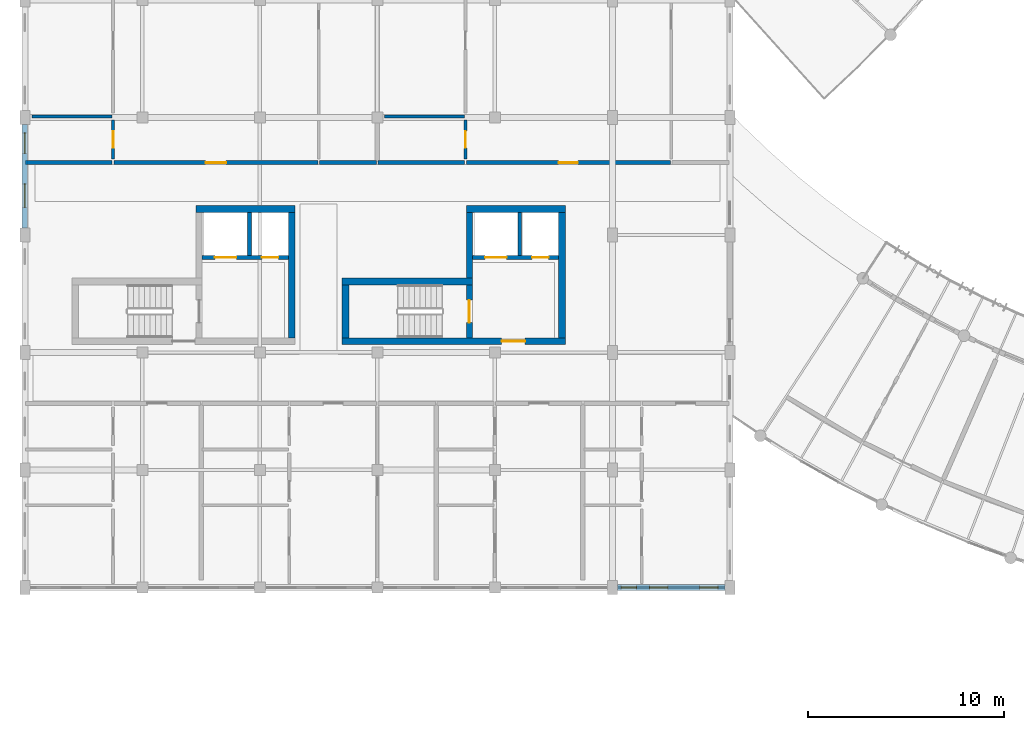
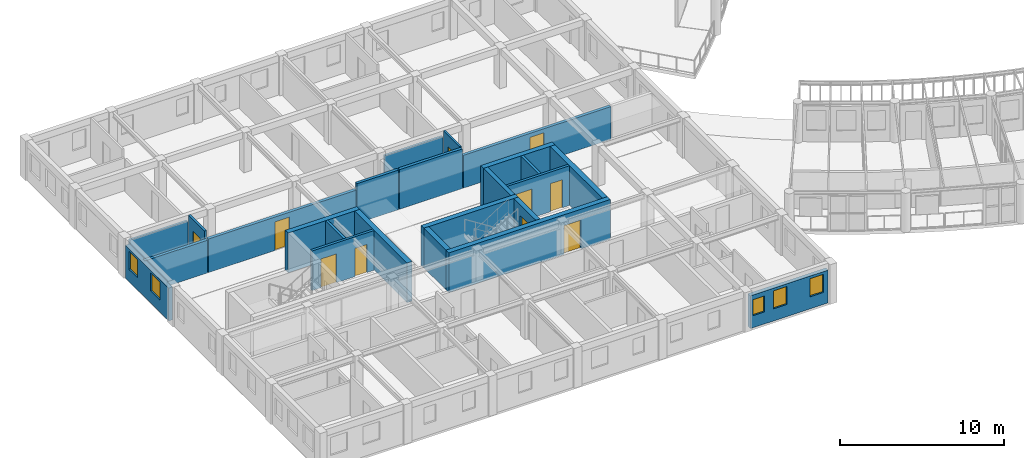
# One storey, part 56 of 101: 24 walls, 10 doors, 5 windows, 15 openings.
"""IFC4 building model written with IfcOpenShell, lengths in metres."""

from ifc_helpers import new_model, si_unit, direction, frame, frame_2d, origin, place, context, subcontext, project, spatial, rectangle, extrude, material, layer, layer_set, type_object, element, fill, save


model = new_model("IFC4")

# Units and contexts
model_context = context("Model", 3, precision=1e-05, world=origin(), true_north=direction((0.0, 1.0)))
body_context = subcontext(model_context, "Body", "Model", "MODEL_VIEW")
ifc_project = project(units=[si_unit("LENGTHUNIT", "METRE"), si_unit("AREAUNIT", "SQUARE_METRE"), si_unit("VOLUMEUNIT", "CUBIC_METRE"), si_unit("PLANEANGLEUNIT", "RADIAN"), si_unit("MASSUNIT", "GRAM", prefix="KILO"), si_unit("POWERUNIT", "WATT"), si_unit("THERMODYNAMICTEMPERATUREUNIT", "KELVIN")], contexts=[model_context])

# Site, building, storey
site_placement = place(None, origin())
site = spatial("IfcSite", under=ifc_project, at=site_placement, CompositionType="ELEMENT")
building_placement = place(site_placement, origin())
building = spatial("IfcBuilding", under=site, at=building_placement, Name="Ruvembo Vaulted Housing Court", CompositionType="ELEMENT")
storey_placement = place(building_placement, frame((0.0, 0.0, 17.300048828125)))
storey = spatial("IfcBuildingStorey", under=building, at=storey_placement, Name="L05", CompositionType="ELEMENT", Elevation=17.300048828125)

# Wall, opening, door
ifc_material_1 = material(Name="Concrete C35/45", Category="concrete")
ifc_layer_1 = layer(ifc_material_1, 0.300048828125, Name="Concrete C35/45")
ifc_layer_set_1 = layer_set([ifc_layer_1], Name="Concrete C35/45")
wall_type_1 = type_object("IfcWallType", Name="WL-CORE-300", PredefinedType="SHEAR", material=ifc_layer_set_1)
wall_1_placement = place(storey_placement, frame((22.699951171875, 18.75, 0.0), z_axis=(0.0, 0.0, 1.0), x_axis=(0.0, 1.0, 0.0)))
wall_1 = element("IfcWall", 1, at=wall_1_placement, inside=storey, type_object=wall_type_1, Name="Core A2 L05 Stair-Lobby Shear Wall", PredefinedType="SHEAR", context=body_context, shape_type="SweptSolid", body=[
    extrude(rectangle(XDim=2.699951171875, YDim=0.300048828125, at=frame_2d((1.35009765625, 0.0))), origin(), (0.0, 0.0, 1.0), 2.96484375),
])
opening_1_placement = place(wall_1_placement, frame((0.77490234375, 0.0, 0.0)))
opening_1 = element("IfcOpeningElement", 2, at=opening_1_placement, cuts=wall_1, Name="Opening SD1", PredefinedType="OPENING", context=body_context, shape_type="SweptSolid", body=[
    extrude(rectangle(XDim=1.14990234375, YDim=2.14990234375, at=frame_2d((0.574951171875, 1.074951171875))), frame((0.0, 0.159912109375, 0.0), z_axis=(0.0, -1.0, 0.0), x_axis=(1.0, 0.0, 0.0)), (0.0, 0.0, 1.0), 0.320068359375),
])
ifc_material_2 = material(Name="Galvanised Painted Steel", Category="steel")
door_type_1 = type_object("IfcDoorType", Name="DR-STAIR-1150x2150", OperationType="NOTDEFINED", PredefinedType="DOOR", material=ifc_material_2)
door_1_placement = place(opening_1_placement, origin())
door_1 = element("IfcDoor", 3, at=door_1_placement, inside=storey, type_object=door_type_1, Name="Stair ST-A2 L05 Fire Door", OperationType="SINGLE_SWING_RIGHT", OverallHeight=2.14990234375, OverallWidth=1.14990234375, PredefinedType="DOOR", context=body_context, shape_type="SweptSolid", body=[
    extrude(rectangle(XDim=1.14990234375, YDim=2.14990234375, at=frame_2d((0.574951171875, 1.074951171875))), frame((0.0, 0.02490234375, 0.0), z_axis=(0.0, -1.0, 0.0), x_axis=(1.0, 0.0, 0.0)), (0.0, 0.0, 1.0), 0.050048828125),
])
fill(opening_1, door_1)

# Walls
wall_2_placement = place(storey_placement, frame((22.699951171875, 21.800048828125, 0.0), z_axis=(0.0, 0.0, 1.0), x_axis=(0.0, 1.0, 0.0)))
element("IfcWall", 4, at=wall_2_placement, inside=storey, type_object=wall_type_1, Name="Core A2 L05 Upper West Shear Wall", PredefinedType="SHEAR", context=body_context, shape_type="SweptSolid", body=[
    extrude(rectangle(XDim=3.349853515625, YDim=0.300048828125, at=frame_2d((1.6748046875, 0.0))), origin(), (0.0, 0.0, 1.0), 2.96484375),
])
ifc_layer_2 = layer(ifc_material_1, 0.35009765625, Name="Concrete C35/45")
ifc_layer_set_2 = layer_set([ifc_layer_2], Name="Concrete C35/45")
wall_type_2 = type_object("IfcWallType", Name="WL-CORE-350", PredefinedType="SHEAR", material=ifc_layer_set_2)
wall_3_placement = place(storey_placement, frame((13.800048828125, 25.324951171875, 0.0), z_axis=(0.0, 0.0, 1.0), x_axis=(-1.0, 0.0, 0.0)))
element("IfcWall", 5, at=wall_3_placement, inside=storey, type_object=wall_type_2, Name="Core A1 L05 North Shear Wall", PredefinedType="SHEAR", context=body_context, shape_type="SweptSolid", body=[
    extrude(rectangle(XDim=5.050048828125, YDim=0.35009765625, at=frame_2d((2.52490234375, 0.0))), origin(), (0.0, 0.0, 1.0), 2.96484375),
])
wall_4_placement = place(storey_placement, frame((13.625, 18.75, 0.0), z_axis=(0.0, 0.0, 1.0), x_axis=(0.0, 1.0, 0.0)))
element("IfcWall", 6, at=wall_4_placement, inside=storey, type_object=wall_type_2, Name="Core A1 L05 East Shear Wall", PredefinedType="SHEAR", context=body_context, shape_type="SweptSolid", body=[
    extrude(rectangle(XDim=6.39990234375, YDim=0.35009765625, at=frame_2d((3.199951171875, 0.0))), origin(), (0.0, 0.0, 1.0), 2.96484375),
])

# Wall, opening, door
wall_5_placement = place(storey_placement, frame((16.199951171875, 18.574951171875, 0.0), z_axis=(0.0, 0.0, 1.0), x_axis=(1.0, 0.0, 0.0)))
wall_5 = element("IfcWall", 7, at=wall_5_placement, inside=storey, type_object=wall_type_2, Name="Core A2 L05 South Shear Wall", PredefinedType="SHEAR", context=body_context, shape_type="SweptSolid", body=[
    extrude(rectangle(XDim=11.400146484375, YDim=0.35009765625, at=frame_2d((5.7001953125, 0.0))), origin(), (0.0, 0.0, 1.0), 2.96484375),
])
opening_2_placement = place(wall_5_placement, frame((8.14990234375, 0.0, 0.0)))
opening_2 = element("IfcOpeningElement", 8, at=opening_2_placement, cuts=wall_5, Name="Opening LD3", PredefinedType="OPENING", context=body_context, shape_type="SweptSolid", body=[
    extrude(rectangle(XDim=1.199951171875, YDim=2.14990234375, at=frame_2d((0.60009765625, 1.074951171875))), frame((0.0, 0.18505859375, 0.0), z_axis=(0.0, -1.0, 0.0), x_axis=(1.0, 0.0, 0.0)), (0.0, 0.0, 1.0), 0.3701171875),
])
door_type_2 = type_object("IfcDoorType", Name="DR-LOB-1200x2150", OperationType="NOTDEFINED", PredefinedType="DOOR", material=ifc_material_2)
door_2_placement = place(opening_2_placement, origin())
door_2 = element("IfcDoor", 9, at=door_2_placement, inside=storey, type_object=door_type_2, Name="Core A2 L05 Lobby Fire Door", OperationType="SINGLE_SWING_LEFT", OverallHeight=2.14990234375, OverallWidth=1.199951171875, PredefinedType="DOOR", context=body_context, shape_type="SweptSolid", body=[
    extrude(rectangle(XDim=1.199951171875, YDim=2.14990234375, at=frame_2d((0.60009765625, 1.074951171875))), frame((0.0, 0.02490234375, 0.0), z_axis=(0.0, -1.0, 0.0), x_axis=(1.0, 0.0, 0.0)), (0.0, 0.0, 1.0), 0.050048828125),
])
fill(opening_2, door_2)

# Walls
wall_6_placement = place(storey_placement, frame((22.85009765625, 21.625, 0.0), z_axis=(0.0, 0.0, 1.0), x_axis=(-1.0, 0.0, 0.0)))
element("IfcWall", 10, at=wall_6_placement, inside=storey, type_object=wall_type_2, Name="Core A2 L05 Stair North Shear Wall", PredefinedType="SHEAR", context=body_context, shape_type="SweptSolid", body=[
    extrude(rectangle(XDim=6.650146484375, YDim=0.35009765625, at=frame_2d((3.3251953125, 0.0))), origin(), (0.0, 0.0, 1.0), 2.96484375),
])
wall_7_placement = place(storey_placement, frame((16.375, 21.449951171875, 0.0), z_axis=(0.0, 0.0, 1.0), x_axis=(0.0, -1.0, 0.0)))
element("IfcWall", 11, at=wall_7_placement, inside=storey, type_object=wall_type_2, Name="Core A2 L05 Stair West Shear Wall", PredefinedType="SHEAR", context=body_context, shape_type="SweptSolid", body=[
    extrude(rectangle(XDim=2.699951171875, YDim=0.35009765625, at=frame_2d((1.35009765625, 0.0))), origin(), (0.0, 0.0, 1.0), 2.96484375),
])
wall_8_placement = place(storey_placement, frame((27.60009765625, 25.324951171875, 0.0), z_axis=(0.0, 0.0, 1.0), x_axis=(-1.0, 0.0, 0.0)))
element("IfcWall", 12, at=wall_8_placement, inside=storey, type_object=wall_type_2, Name="Core A2 L05 North Shear Wall", PredefinedType="SHEAR", context=body_context, shape_type="SweptSolid", body=[
    extrude(rectangle(XDim=5.050048828125, YDim=0.35009765625, at=frame_2d((2.52490234375, 0.0))), origin(), (0.0, 0.0, 1.0), 2.96484375),
])
wall_9_placement = place(storey_placement, frame((27.425048828125, 18.75, 0.0), z_axis=(0.0, 0.0, 1.0), x_axis=(0.0, 1.0, 0.0)))
element("IfcWall", 13, at=wall_9_placement, inside=storey, type_object=wall_type_2, Name="Core A2 L05 East Shear Wall", PredefinedType="SHEAR", context=body_context, shape_type="SweptSolid", body=[
    extrude(rectangle(XDim=6.39990234375, YDim=0.35009765625, at=frame_2d((3.199951171875, 0.0))), origin(), (0.0, 0.0, 1.0), 2.96484375),
])
ifc_material_3 = material(Name="Concrete Blockwork 210", Category="masonry")
ifc_layer_3 = layer(ifc_material_3, 0.2099609375, Name="Concrete Blockwork 210")
ifc_layer_set_3 = layer_set([ifc_layer_3], Name="Concrete Blockwork 210")
wall_type_3 = type_object("IfcWallType", Name="WL-CORR-210", PredefinedType="SOLIDWALL", material=ifc_layer_set_3)
wall_10_placement = place(storey_placement, frame((0.0400390625, 27.699951171875, 0.0), z_axis=(0.0, 0.0, 1.0), x_axis=(1.0, 0.0, 0.0)))
element("IfcWall", 14, at=wall_10_placement, inside=storey, type_object=wall_type_3, Name="L05 Flat A-L05-N1 Corridor Wall WL-INT-L05-01414", PredefinedType="SOLIDWALL", context=body_context, shape_type="SweptSolid", body=[
    extrude(rectangle(XDim=4.419921875, YDim=0.2099609375, at=frame_2d((2.2099609375, 0.0))), origin(), (0.0, 0.0, 1.0), 2.447021484375),
])

# Wall, opening, door
wall_11_placement = place(storey_placement, frame((4.5400390625, 27.699951171875, 0.0), z_axis=(0.0, 0.0, 1.0), x_axis=(1.0, 0.0, 0.0)))
wall_11 = element("IfcWall", 15, at=wall_11_placement, inside=storey, type_object=wall_type_3, Name="L05 Flat A-L05-N1 Entrance WL-INT-L05-01415", PredefinedType="SOLIDWALL", context=body_context, shape_type="SweptSolid", body=[
    extrude(rectangle(XDim=10.419921875, YDim=0.2099609375, at=frame_2d((5.2099609375, 0.0))), origin(), (0.0, 0.0, 1.0), 2.508056640625),
])
opening_3_placement = place(wall_11_placement, frame((4.68505859375, 0.0, 0.0)))
opening_3 = element("IfcOpeningElement", 16, at=opening_3_placement, cuts=wall_11, Name="Opening FD3", PredefinedType="OPENING", context=body_context, shape_type="SweptSolid", body=[
    extrude(rectangle(XDim=1.050048828125, YDim=2.14990234375, at=frame_2d((0.52490234375, 1.074951171875))), frame((0.0, 0.114990234375, 0.0), z_axis=(0.0, -1.0, 0.0), x_axis=(1.0, 0.0, 0.0)), (0.0, 0.0, 1.0), 0.22998046875),
])
ifc_material_4 = material(Name="FSC Hardwood and Engineered Timber", Category="wood")
door_type_3 = type_object("IfcDoorType", Name="DR-FLAT-1050x2150", OperationType="NOTDEFINED", PredefinedType="DOOR", material=ifc_material_4)
door_3_placement = place(opening_3_placement, origin())
door_3 = element("IfcDoor", 17, at=door_3_placement, inside=storey, type_object=door_type_3, Name="L05 Flat A-L05-N1 Entrance Door DR-INT-L05-00797", OperationType="SINGLE_SWING_LEFT", OverallHeight=2.14990234375, OverallWidth=1.050048828125, PredefinedType="DOOR", context=body_context, shape_type="SweptSolid", body=[
    extrude(rectangle(XDim=1.050048828125, YDim=2.14990234375, at=frame_2d((0.52490234375, 1.074951171875))), frame((0.0, 0.02490234375, 0.0), z_axis=(0.0, -1.0, 0.0), x_axis=(1.0, 0.0, 0.0)), (0.0, 0.0, 1.0), 0.050048828125),
])
fill(opening_3, door_3)

# Walls
wall_12_placement = place(storey_placement, frame((15.0400390625, 27.699951171875, 0.0), z_axis=(0.0, 0.0, 1.0), x_axis=(1.0, 0.0, 0.0)))
element("IfcWall", 18, at=wall_12_placement, inside=storey, type_object=wall_type_3, Name="L05 Flat A-L05-N1 Corridor Wall 2 WL-INT-L05-01421", PredefinedType="SOLIDWALL", context=body_context, shape_type="SweptSolid", body=[
    extrude(rectangle(XDim=2.919921875, YDim=0.2099609375, at=frame_2d((1.4599609375, 0.0))), origin(), (0.0, 0.0, 1.0), 2.96484375),
])
wall_13_placement = place(storey_placement, frame((18.0400390625, 27.699951171875, 0.0), z_axis=(0.0, 0.0, 1.0), x_axis=(1.0, 0.0, 0.0)))
element("IfcWall", 19, at=wall_13_placement, inside=storey, type_object=wall_type_3, Name="L05 Flat A-L05-N2 Corridor Wall WL-INT-L05-01423", PredefinedType="SOLIDWALL", context=body_context, shape_type="SweptSolid", body=[
    extrude(rectangle(XDim=4.419921875, YDim=0.2099609375, at=frame_2d((2.2099609375, 0.0))), origin(), (0.0, 0.0, 1.0), 2.96484375),
])

# Wall, opening, door
wall_14_placement = place(storey_placement, frame((22.5400390625, 27.699951171875, 0.0), z_axis=(0.0, 0.0, 1.0), x_axis=(1.0, 0.0, 0.0)))
wall_14 = element("IfcWall", 20, at=wall_14_placement, inside=storey, type_object=wall_type_3, Name="L05 Flat A-L05-N2 Entrance WL-INT-L05-01424", PredefinedType="SOLIDWALL", context=body_context, shape_type="SweptSolid", body=[
    extrude(rectangle(XDim=10.419921875, YDim=0.2099609375, at=frame_2d((5.2099609375, 0.0))), origin(), (0.0, 0.0, 1.0), 2.447021484375),
])
opening_4_placement = place(wall_14_placement, frame((4.719970703125, 0.0, 0.0)))
opening_4 = element("IfcOpeningElement", 21, at=opening_4_placement, cuts=wall_14, Name="Opening FD2", PredefinedType="OPENING", context=body_context, shape_type="SweptSolid", body=[
    extrude(rectangle(XDim=0.97998046875, YDim=2.14990234375, at=frame_2d((0.489990234375, 1.074951171875))), frame((0.0, 0.114990234375, 0.0), z_axis=(0.0, -1.0, 0.0), x_axis=(1.0, 0.0, 0.0)), (0.0, 0.0, 1.0), 0.22998046875),
])
door_type_4 = type_object("IfcDoorType", Name="DR-FLAT-0980x2150", OperationType="NOTDEFINED", PredefinedType="DOOR", material=ifc_material_4)
door_4_placement = place(opening_4_placement, origin())
door_4 = element("IfcDoor", 22, at=door_4_placement, inside=storey, type_object=door_type_4, Name="L05 Flat A-L05-N2 Entrance Door DR-INT-L05-00802", OperationType="SINGLE_SWING_RIGHT", OverallHeight=2.14990234375, OverallWidth=0.97998046875, PredefinedType="DOOR", context=body_context, shape_type="SweptSolid", body=[
    extrude(rectangle(XDim=0.97998046875, YDim=2.14990234375, at=frame_2d((0.489990234375, 1.074951171875))), frame((0.0, 0.02490234375, 0.0), z_axis=(0.0, -1.0, 0.0), x_axis=(1.0, 0.0, 0.0)), (0.0, 0.0, 1.0), 0.050048828125),
])
fill(opening_4, door_4)

# Wall, openings, windows
ifc_material_5 = material(Name="Rendered Masonry 285", Category="masonry")
ifc_layer_4 = layer(ifc_material_5, 0.284912109375, Name="Rendered Masonry 285")
ifc_layer_set_4 = layer_set([ifc_layer_4], Name="Rendered Masonry 285")
wall_type_4 = type_object("IfcWallType", Name="WL-EXT-285", PredefinedType="STANDARD", material=ifc_layer_set_4)
wall_15_placement = place(storey_placement, frame((30.25, 6.0, 0.0), z_axis=(0.0, 0.0, 1.0), x_axis=(1.0, 0.0, 0.0)))
wall_15 = element("IfcWall", 23, at=wall_15_placement, inside=storey, type_object=wall_type_4, Name="Block A L05 Exterior Wall STREET #6", PredefinedType="STANDARD", context=body_context, shape_type="SweptSolid", body=[
    extrude(rectangle(XDim=5.5, YDim=0.284912109375, at=frame_2d((2.75, 0.0))), origin(), (0.0, 0.0, 1.0), 2.447021484375),
])
opening_5_placement = place(wall_15_placement, frame((1.639892578125, 0.0, 0.89990234375)))
opening_5 = element("IfcOpeningElement", 24, at=opening_5_placement, cuts=wall_15, Name="Opening W07", PredefinedType="OPENING", context=body_context, shape_type="SweptSolid", body=[
    extrude(rectangle(XDim=0.949951171875, YDim=1.35009765625, at=frame_2d((0.47509765625, 0.675048828125))), frame((0.0, 0.15234375, 0.0), z_axis=(0.0, -1.0, 0.0), x_axis=(1.0, 0.0, 0.0)), (0.0, 0.0, 1.0), 0.304931640625),
])
opening_6_placement = place(wall_15_placement, frame((4.199951171875, 0.0, 0.89990234375)))
opening_6 = element("IfcOpeningElement", 25, at=opening_6_placement, cuts=wall_15, Name="Opening W07", PredefinedType="OPENING", context=body_context, shape_type="SweptSolid", body=[
    extrude(rectangle(XDim=0.949951171875, YDim=1.35009765625, at=frame_2d((0.47509765625, 0.675048828125))), frame((0.0, 0.15234375, 0.0), z_axis=(0.0, -1.0, 0.0), x_axis=(1.0, 0.0, 0.0)), (0.0, 0.0, 1.0), 0.304931640625),
])
opening_7_placement = place(wall_15_placement, frame((0.193603515625, 0.0, 0.89990234375)))
opening_7 = element("IfcOpeningElement", 26, at=opening_7_placement, cuts=wall_15, Name="Opening W02", PredefinedType="OPENING", context=body_context, shape_type="SweptSolid", body=[
    extrude(rectangle(XDim=0.800048828125, YDim=1.199951171875, at=frame_2d((0.39990234375, 0.60009765625))), frame((0.0, 0.15234375, 0.0), z_axis=(0.0, -1.0, 0.0), x_axis=(1.0, 0.0, 0.0)), (0.0, 0.0, 1.0), 0.304931640625),
])
ifc_material_6 = material(Name="Double Solar-Control Glazing in Aluminium Frame", Category="aluminium")
window_type_1 = type_object("IfcWindowType", Name="WIN-0800x1200", PartitioningType="SINGLE_PANEL", PredefinedType="WINDOW", material=ifc_material_6)
window_1_placement = place(opening_7_placement, origin())
window_1 = element("IfcWindow", 27, at=window_1_placement, inside=storey, type_object=window_type_1, Name="Block A L05 Window #2078", OverallHeight=1.199951171875, OverallWidth=0.800048828125, PartitioningType="SINGLE_PANEL", PredefinedType="WINDOW", context=body_context, shape_type="SweptSolid", body=[
    extrude(rectangle(XDim=0.800048828125, YDim=1.199951171875, at=frame_2d((0.39990234375, 0.60009765625))), frame((0.0, 0.030029296875, 0.0), z_axis=(0.0, -1.0, 0.0), x_axis=(1.0, 0.0, 0.0)), (0.0, 0.0, 1.0), 0.06005859375),
])
fill(opening_7, window_1)
window_type_2 = type_object("IfcWindowType", Name="WIN-0950x1350", PartitioningType="SINGLE_PANEL", PredefinedType="WINDOW", material=ifc_material_6)
window_2_placement = place(opening_5_placement, origin())
window_2 = element("IfcWindow", 28, at=window_2_placement, inside=storey, type_object=window_type_2, Name="Block A L05 Window #219", OverallHeight=1.35009765625, OverallWidth=0.949951171875, PartitioningType="SINGLE_PANEL", PredefinedType="WINDOW", context=body_context, shape_type="SweptSolid", body=[
    extrude(rectangle(XDim=0.949951171875, YDim=1.35009765625, at=frame_2d((0.47509765625, 0.675048828125))), frame((0.0, 0.030029296875, 0.0), z_axis=(0.0, -1.0, 0.0), x_axis=(1.0, 0.0, 0.0)), (0.0, 0.0, 1.0), 0.06005859375),
])
fill(opening_5, window_2)
window_3_placement = place(opening_6_placement, origin())
window_3 = element("IfcWindow", 29, at=window_3_placement, inside=storey, type_object=window_type_2, Name="Block A L05 Window #220", OverallHeight=1.35009765625, OverallWidth=0.949951171875, PartitioningType="SINGLE_PANEL", PredefinedType="WINDOW", context=body_context, shape_type="SweptSolid", body=[
    extrude(rectangle(XDim=0.949951171875, YDim=1.35009765625, at=frame_2d((0.47509765625, 0.675048828125))), frame((0.0, 0.030029296875, 0.0), z_axis=(0.0, -1.0, 0.0), x_axis=(1.0, 0.0, 0.0)), (0.0, 0.0, 1.0), 0.06005859375),
])
fill(opening_6, window_3)

wall_16_placement = place(storey_placement, frame((0.0, 29.64990234375, 0.0), z_axis=(0.0, 0.0, 1.0), x_axis=(0.0, -1.0, 0.0)))
wall_16 = element("IfcWall", 30, at=wall_16_placement, inside=storey, type_object=wall_type_4, Name="Block A L05 Exterior Wall WEST #3", PredefinedType="STANDARD", context=body_context, shape_type="SweptSolid", body=[
    extrude(rectangle(XDim=5.2998046875, YDim=0.284912109375, at=frame_2d((2.64990234375, 0.0))), origin(), (0.0, 0.0, 1.0), 2.447021484375),
])
opening_8_placement = place(wall_16_placement, frame((0.429931640625, 0.0, 0.89990234375)))
opening_8 = element("IfcOpeningElement", 31, at=opening_8_placement, cuts=wall_16, Name="Opening W09", PredefinedType="OPENING", context=body_context, shape_type="SweptSolid", body=[
    extrude(rectangle(XDim=1.050048828125, YDim=1.35009765625, at=frame_2d((0.52490234375, 0.675048828125))), frame((0.0, 0.15234375, 0.0), z_axis=(0.0, -1.0, 0.0), x_axis=(1.0, 0.0, 0.0)), (0.0, 0.0, 1.0), 0.304931640625),
])
opening_9_placement = place(wall_16_placement, frame((3.044921875, 0.0, 0.89990234375)))
opening_9 = element("IfcOpeningElement", 32, at=opening_9_placement, cuts=wall_16, Name="Opening W12", PredefinedType="OPENING", context=body_context, shape_type="SweptSolid", body=[
    extrude(rectangle(XDim=1.199951171875, YDim=1.35009765625, at=frame_2d((0.60009765625, 0.675048828125))), frame((0.0, 0.15234375, 0.0), z_axis=(0.0, -1.0, 0.0), x_axis=(1.0, 0.0, 0.0)), (0.0, 0.0, 1.0), 0.304931640625),
])
window_type_3 = type_object("IfcWindowType", Name="WIN-1050x1350", PartitioningType="SINGLE_PANEL", PredefinedType="WINDOW", material=ifc_material_6)
window_4_placement = place(opening_8_placement, origin())
window_4 = element("IfcWindow", 33, at=window_4_placement, inside=storey, type_object=window_type_3, Name="Block A L05 Window #244", OverallHeight=1.35009765625, OverallWidth=1.050048828125, PartitioningType="SINGLE_PANEL", PredefinedType="WINDOW", context=body_context, shape_type="SweptSolid", body=[
    extrude(rectangle(XDim=1.050048828125, YDim=1.35009765625, at=frame_2d((0.52490234375, 0.675048828125))), frame((0.0, 0.030029296875, 0.0), z_axis=(0.0, -1.0, 0.0), x_axis=(1.0, 0.0, 0.0)), (0.0, 0.0, 1.0), 0.06005859375),
])
fill(opening_8, window_4)
window_type_4 = type_object("IfcWindowType", Name="WIN-1200x1350", PartitioningType="SINGLE_PANEL", PredefinedType="WINDOW", material=ifc_material_6)
window_5_placement = place(opening_9_placement, origin())
window_5 = element("IfcWindow", 34, at=window_5_placement, inside=storey, type_object=window_type_4, Name="Block A L05 Window #245", OverallHeight=1.35009765625, OverallWidth=1.199951171875, PartitioningType="SINGLE_PANEL", PredefinedType="WINDOW", context=body_context, shape_type="SweptSolid", body=[
    extrude(rectangle(XDim=1.199951171875, YDim=1.35009765625, at=frame_2d((0.60009765625, 0.675048828125))), frame((0.0, 0.030029296875, 0.0), z_axis=(0.0, -1.0, 0.0), x_axis=(1.0, 0.0, 0.0)), (0.0, 0.0, 1.0), 0.06005859375),
])
fill(opening_9, window_5)

# Wall, opening, door
ifc_material_7 = material(Name="Moisture-Resistant Wet Partition 150", Category="gypsum")
ifc_layer_5 = layer(ifc_material_7, 0.14990234375, Name="Moisture-Resistant Wet Partition 150")
ifc_layer_set_5 = layer_set([ifc_layer_5], Name="Moisture-Resistant Wet Partition 150")
wall_type_5 = type_object("IfcWallType", Name="WL-PART-150", PredefinedType="PARTITIONING", material=ifc_layer_set_5)
wall_17_placement = place(storey_placement, frame((4.5, 27.889892578125, 0.0), z_axis=(0.0, 0.0, 1.0), x_axis=(0.0, 1.0, 0.0)))
wall_17 = element("IfcWall", 35, at=wall_17_placement, inside=storey, type_object=wall_type_5, Name="L05 Flat A-L05-N1 Bathroom WL-INT-L05-01418", PredefinedType="PARTITIONING", context=body_context, shape_type="SweptSolid", body=[
    extrude(rectangle(XDim=1.97021484375, YDim=0.14990234375, at=frame_2d((0.985107421875, 0.0))), origin(), (0.0, 0.0, 1.0), 2.96484375),
])
opening_10_placement = place(wall_17_placement, frame((0.56005859375, 0.0, 0.0)))
opening_10 = element("IfcOpeningElement", 36, at=opening_10_placement, cuts=wall_17, Name="Opening ID2", PredefinedType="OPENING", context=body_context, shape_type="SweptSolid", body=[
    extrude(rectangle(XDim=0.85009765625, YDim=2.10009765625, at=frame_2d((0.425048828125, 1.050048828125))), frame((0.0, 0.0849609375, 0.0), z_axis=(0.0, -1.0, 0.0), x_axis=(1.0, 0.0, 0.0)), (0.0, 0.0, 1.0), 0.169921875),
])
door_type_5 = type_object("IfcDoorType", Name="DR-WET-0850x2100", OperationType="NOTDEFINED", PredefinedType="DOOR", material=ifc_material_4)
door_5_placement = place(opening_10_placement, origin())
door_5 = element("IfcDoor", 37, at=door_5_placement, inside=storey, type_object=door_type_5, Name="L05 Flat A-L05-N1 Bathroom Door DR-INT-L05-00800", OperationType="SINGLE_SWING_RIGHT", OverallHeight=2.10009765625, OverallWidth=0.85009765625, PredefinedType="DOOR", context=body_context, shape_type="SweptSolid", body=[
    extrude(rectangle(XDim=0.85009765625, YDim=2.10009765625, at=frame_2d((0.425048828125, 1.050048828125))), frame((0.0, 0.02490234375, 0.0), z_axis=(0.0, -1.0, 0.0), x_axis=(1.0, 0.0, 0.0)), (0.0, 0.0, 1.0), 0.050048828125),
])
fill(opening_10, door_5)

# Wall
wall_18_placement = place(storey_placement, frame((0.360107421875, 30.050048828125, 0.0), z_axis=(0.0, 0.0, 1.0), x_axis=(1.0, 0.0, 0.0)))
element("IfcWall", 38, at=wall_18_placement, inside=storey, type_object=wall_type_5, Name="L05 Flat A-L05-N1 Wet Wall 2 WL-INT-L05-01420", PredefinedType="PARTITIONING", context=body_context, shape_type="SweptSolid", body=[
    extrude(rectangle(XDim=4.099853515625, YDim=0.14990234375, at=frame_2d((2.0498046875, 0.0))), origin(), (0.0, 0.0, 1.0), 2.447021484375),
])

# Wall, opening, door
wall_19_placement = place(storey_placement, frame((22.5, 27.889892578125, 0.0), z_axis=(0.0, 0.0, 1.0), x_axis=(0.0, 1.0, 0.0)))
wall_19 = element("IfcWall", 39, at=wall_19_placement, inside=storey, type_object=wall_type_5, Name="L05 Flat A-L05-N2 Bathroom WL-INT-L05-01427", PredefinedType="PARTITIONING", context=body_context, shape_type="SweptSolid", body=[
    extrude(rectangle(XDim=1.97021484375, YDim=0.14990234375, at=frame_2d((0.985107421875, 0.0))), origin(), (0.0, 0.0, 1.0), 2.96484375),
])
opening_11_placement = place(wall_19_placement, frame((0.56005859375, 0.0, 0.0)))
opening_11 = element("IfcOpeningElement", 40, at=opening_11_placement, cuts=wall_19, Name="Opening ID2", PredefinedType="OPENING", context=body_context, shape_type="SweptSolid", body=[
    extrude(rectangle(XDim=0.85009765625, YDim=2.10009765625, at=frame_2d((0.425048828125, 1.050048828125))), frame((0.0, 0.0849609375, 0.0), z_axis=(0.0, -1.0, 0.0), x_axis=(1.0, 0.0, 0.0)), (0.0, 0.0, 1.0), 0.169921875),
])
door_6_placement = place(opening_11_placement, origin())
door_6 = element("IfcDoor", 41, at=door_6_placement, inside=storey, type_object=door_type_5, Name="L05 Flat A-L05-N2 Bathroom Door DR-INT-L05-00805", OperationType="SINGLE_SWING_LEFT", OverallHeight=2.10009765625, OverallWidth=0.85009765625, PredefinedType="DOOR", context=body_context, shape_type="SweptSolid", body=[
    extrude(rectangle(XDim=0.85009765625, YDim=2.10009765625, at=frame_2d((0.425048828125, 1.050048828125))), frame((0.0, 0.02490234375, 0.0), z_axis=(0.0, -1.0, 0.0), x_axis=(1.0, 0.0, 0.0)), (0.0, 0.0, 1.0), 0.050048828125),
])
fill(opening_11, door_6)

# Wall
wall_20_placement = place(storey_placement, frame((18.360107421875, 30.050048828125, 0.0), z_axis=(0.0, 0.0, 1.0), x_axis=(1.0, 0.0, 0.0)))
element("IfcWall", 42, at=wall_20_placement, inside=storey, type_object=wall_type_5, Name="L05 Flat A-L05-N2 Wet Wall 2 WL-INT-L05-01429", PredefinedType="PARTITIONING", context=body_context, shape_type="SweptSolid", body=[
    extrude(rectangle(XDim=4.099853515625, YDim=0.14990234375, at=frame_2d((2.0498046875, 0.0))), origin(), (0.0, 0.0, 1.0), 2.447021484375),
])

# Wall, openings, doors
ifc_material_8 = material(Name="Fire-Rated Masonry Shaft 180", Category="masonry")
ifc_layer_6 = layer(ifc_material_8, 0.179931640625, Name="Fire-Rated Masonry Shaft 180")
ifc_layer_set_6 = layer_set([ifc_layer_6], Name="Fire-Rated Masonry Shaft 180")
wall_type_6 = type_object("IfcWallType", Name="WL-SHAFT-180", PredefinedType="SOLIDWALL", material=ifc_layer_set_6)
wall_21_placement = place(storey_placement, frame((9.050048828125, 22.85009765625, 0.0), z_axis=(0.0, 0.0, 1.0), x_axis=(1.0, 0.0, 0.0)))
wall_21 = element("IfcWall", 43, at=wall_21_placement, inside=storey, type_object=wall_type_6, Name="Core A1 L05 Lift and Riser Front Wall", PredefinedType="SOLIDWALL", context=body_context, shape_type="SweptSolid", body=[
    extrude(rectangle(XDim=4.39990234375, YDim=0.179931640625, at=frame_2d((2.199951171875, 0.0))), origin(), (0.0, 0.0, 1.0), 2.96484375),
])
opening_12_placement = place(wall_21_placement, frame((0.64990234375, 0.0, 0.0)))
opening_12 = element("IfcOpeningElement", 44, at=opening_12_placement, cuts=wall_21, Name="Opening LD-FL-A1-L05", PredefinedType="OPENING", context=body_context, shape_type="SweptSolid", body=[
    extrude(rectangle(XDim=1.10009765625, YDim=2.14990234375, at=frame_2d((0.550048828125, 1.074951171875))), frame((0.0, 0.099853515625, 0.0), z_axis=(0.0, -1.0, 0.0), x_axis=(1.0, 0.0, 0.0)), (0.0, 0.0, 1.0), 0.199951171875),
])
opening_13_placement = place(wall_21_placement, frame((3.050048828125, 0.0, 0.0)))
opening_13 = element("IfcOpeningElement", 45, at=opening_13_placement, cuts=wall_21, Name="Opening RD1", PredefinedType="OPENING", context=body_context, shape_type="SweptSolid", body=[
    extrude(rectangle(XDim=0.85009765625, YDim=2.10009765625, at=frame_2d((0.425048828125, 1.050048828125))), frame((0.0, 0.099853515625, 0.0), z_axis=(0.0, -1.0, 0.0), x_axis=(1.0, 0.0, 0.0)), (0.0, 0.0, 1.0), 0.199951171875),
])
ifc_material_9 = material(Name="Brushed Stainless Steel 304", Category="steel")
door_type_6 = type_object("IfcDoorType", Name="DR-LIFT-1100x2150", OperationType="NOTDEFINED", PredefinedType="DOOR", material=ifc_material_9)
door_7_placement = place(opening_12_placement, origin())
door_7 = element("IfcDoor", 46, at=door_7_placement, inside=storey, type_object=door_type_6, Name="Lift FL-A1 L05 Sliding Landing Door", OperationType="SLIDING_TO_LEFT", OverallHeight=2.14990234375, OverallWidth=1.10009765625, PredefinedType="DOOR", context=body_context, shape_type="SweptSolid", body=[
    extrude(rectangle(XDim=1.10009765625, YDim=2.14990234375, at=frame_2d((0.550048828125, 1.074951171875))), frame((0.0, 0.02490234375, 0.0), z_axis=(0.0, -1.0, 0.0), x_axis=(1.0, 0.0, 0.0)), (0.0, 0.0, 1.0), 0.050048828125),
])
fill(opening_12, door_7)
door_type_7 = type_object("IfcDoorType", Name="DR-RISER-0850x2100", OperationType="NOTDEFINED", PredefinedType="DOOR", material=ifc_material_2)
door_8_placement = place(opening_13_placement, frame((0.85009765625, 0.0, 0.0), z_axis=(0.0, 0.0, 1.0), x_axis=(-1.0, 0.0, 0.0)))
door_8 = element("IfcDoor", 47, at=door_8_placement, inside=storey, type_object=door_type_7, Name="Core A1 L05 Service Riser Door", OperationType="SINGLE_SWING_LEFT", OverallHeight=2.10009765625, OverallWidth=0.85009765625, PredefinedType="DOOR", context=body_context, shape_type="SweptSolid", body=[
    extrude(rectangle(XDim=0.85009765625, YDim=2.10009765625, at=frame_2d((0.425048828125, 1.050048828125))), frame((0.0, 0.02490234375, 0.0), z_axis=(0.0, -1.0, 0.0), x_axis=(1.0, 0.0, 0.0)), (0.0, 0.0, 1.0), 0.050048828125),
])
fill(opening_13, door_8)

# Wall
wall_22_placement = place(storey_placement, frame((11.469970703125, 22.93994140625, 0.0), z_axis=(0.0, 0.0, 1.0), x_axis=(0.0, 1.0, 0.0)))
element("IfcWall", 48, at=wall_22_placement, inside=storey, type_object=wall_type_6, Name="Core A1 L05 Shaft-Riser Divider Wall", PredefinedType="SOLIDWALL", context=body_context, shape_type="SweptSolid", body=[
    extrude(rectangle(XDim=2.2099609375, YDim=0.179931640625, at=frame_2d((1.10498046875, 0.0))), origin(), (0.0, 0.0, 1.0), 2.96484375),
])

# Wall, openings, doors
wall_23_placement = place(storey_placement, frame((22.85009765625, 22.85009765625, 0.0), z_axis=(0.0, 0.0, 1.0), x_axis=(1.0, 0.0, 0.0)))
wall_23 = element("IfcWall", 49, at=wall_23_placement, inside=storey, type_object=wall_type_6, Name="Core A2 L05 Lift and Riser Front Wall", PredefinedType="SOLIDWALL", context=body_context, shape_type="SweptSolid", body=[
    extrude(rectangle(XDim=4.39990234375, YDim=0.179931640625, at=frame_2d((2.199951171875, 0.0))), origin(), (0.0, 0.0, 1.0), 2.96484375),
])
opening_14_placement = place(wall_23_placement, frame((0.64990234375, 0.0, 0.0)))
opening_14 = element("IfcOpeningElement", 50, at=opening_14_placement, cuts=wall_23, Name="Opening LD-FL-A2-L05", PredefinedType="OPENING", context=body_context, shape_type="SweptSolid", body=[
    extrude(rectangle(XDim=1.10009765625, YDim=2.14990234375, at=frame_2d((0.550048828125, 1.074951171875))), frame((0.0, 0.099853515625, 0.0), z_axis=(0.0, -1.0, 0.0), x_axis=(1.0, 0.0, 0.0)), (0.0, 0.0, 1.0), 0.199951171875),
])
opening_15_placement = place(wall_23_placement, frame((3.050048828125, 0.0, 0.0)))
opening_15 = element("IfcOpeningElement", 51, at=opening_15_placement, cuts=wall_23, Name="Opening RD1", PredefinedType="OPENING", context=body_context, shape_type="SweptSolid", body=[
    extrude(rectangle(XDim=0.85009765625, YDim=2.10009765625, at=frame_2d((0.425048828125, 1.050048828125))), frame((0.0, 0.099853515625, 0.0), z_axis=(0.0, -1.0, 0.0), x_axis=(1.0, 0.0, 0.0)), (0.0, 0.0, 1.0), 0.199951171875),
])
door_9_placement = place(opening_14_placement, origin())
door_9 = element("IfcDoor", 52, at=door_9_placement, inside=storey, type_object=door_type_6, Name="Lift FL-A2 L05 Sliding Landing Door", OperationType="SLIDING_TO_LEFT", OverallHeight=2.14990234375, OverallWidth=1.10009765625, PredefinedType="DOOR", context=body_context, shape_type="SweptSolid", body=[
    extrude(rectangle(XDim=1.10009765625, YDim=2.14990234375, at=frame_2d((0.550048828125, 1.074951171875))), frame((0.0, 0.02490234375, 0.0), z_axis=(0.0, -1.0, 0.0), x_axis=(1.0, 0.0, 0.0)), (0.0, 0.0, 1.0), 0.050048828125),
])
fill(opening_14, door_9)
door_10_placement = place(opening_15_placement, frame((0.85009765625, 0.0, 0.0), z_axis=(0.0, 0.0, 1.0), x_axis=(-1.0, 0.0, 0.0)))
door_10 = element("IfcDoor", 53, at=door_10_placement, inside=storey, type_object=door_type_7, Name="Core A2 L05 Service Riser Door", OperationType="SINGLE_SWING_LEFT", OverallHeight=2.10009765625, OverallWidth=0.85009765625, PredefinedType="DOOR", context=body_context, shape_type="SweptSolid", body=[
    extrude(rectangle(XDim=0.85009765625, YDim=2.10009765625, at=frame_2d((0.425048828125, 1.050048828125))), frame((0.0, 0.02490234375, 0.0), z_axis=(0.0, -1.0, 0.0), x_axis=(1.0, 0.0, 0.0)), (0.0, 0.0, 1.0), 0.050048828125),
])
fill(opening_15, door_10)

# Wall
wall_24_placement = place(storey_placement, frame((25.27001953125, 22.93994140625, 0.0), z_axis=(0.0, 0.0, 1.0), x_axis=(0.0, 1.0, 0.0)))
element("IfcWall", 54, at=wall_24_placement, inside=storey, type_object=wall_type_6, Name="Core A2 L05 Shaft-Riser Divider Wall", PredefinedType="SOLIDWALL", context=body_context, shape_type="SweptSolid", body=[
    extrude(rectangle(XDim=2.2099609375, YDim=0.179931640625, at=frame_2d((1.10498046875, 0.0))), origin(), (0.0, 0.0, 1.0), 2.96484375),
])

save(model, "model.ifc")
